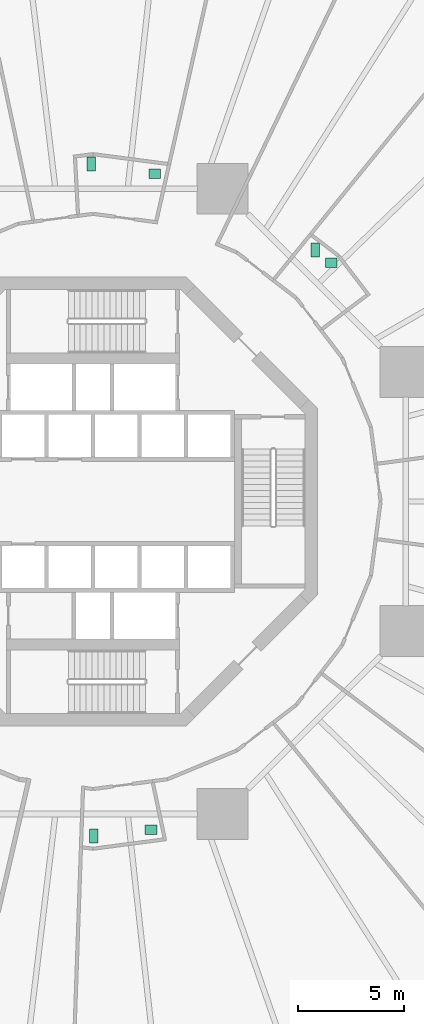
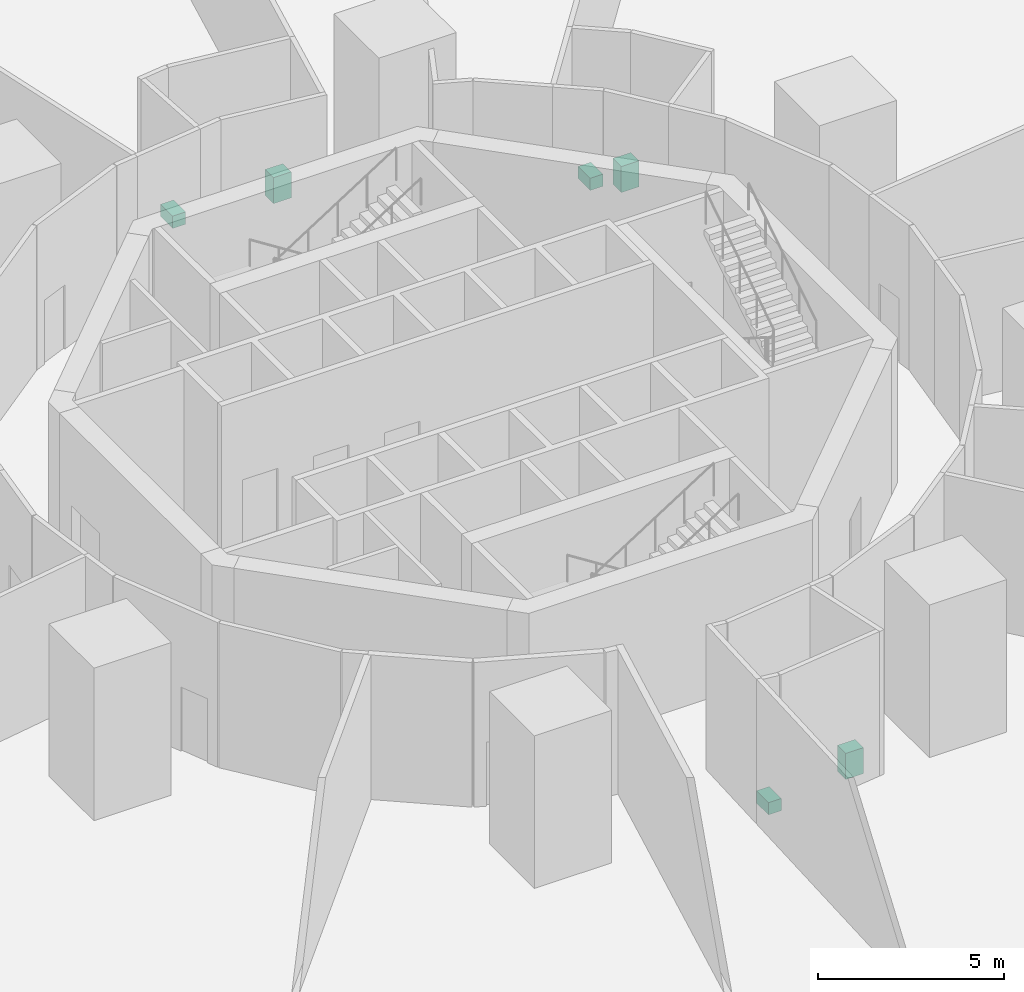
# One storey, part 52 of 52: 6 sanitary terminals.
"""IFC4 building model written with IfcOpenShell, lengths in metres."""

from ifc_helpers import new_model, si_unit, direction, frame, origin, origin_2d, place, context, subcontext, project, spatial, rectangle, extrude, material, type_object, element, save


model = new_model("IFC4")

# Units and contexts
model_context = context("Model", 3, precision=1e-05, world=origin(), true_north=direction((0.0, 1.0)))
body_context = subcontext(model_context, "Body", "Model", "MODEL_VIEW")
ifc_project = project(units=[si_unit("LENGTHUNIT", "METRE"), si_unit("AREAUNIT", "SQUARE_METRE"), si_unit("VOLUMEUNIT", "CUBIC_METRE"), si_unit("PLANEANGLEUNIT", "RADIAN"), si_unit("MASSUNIT", "GRAM", prefix="KILO")], contexts=[model_context])

# Site, building, storey
site_placement = place(None, origin())
site = spatial("IfcSite", under=ifc_project, at=site_placement, CompositionType="ELEMENT")
building_placement = place(site_placement, origin())
building = spatial("IfcBuilding", under=site, at=building_placement, Name="Nagisa Residences", CompositionType="ELEMENT")
storey_placement = place(building_placement, frame((0.0, 0.0, 22.0)))
storey = spatial("IfcBuildingStorey", under=building, at=storey_placement, Name="L04", CompositionType="ELEMENT", Elevation=22.0)

# Sanitary terminals
ifc_material_1 = material(Name="Vitreous china")
sanitary_terminal_type_1 = type_object("IfcSanitaryTerminalType", Name="WC pan", PredefinedType="WCSEAT", material=ifc_material_1)
for number, where, z_axis, x_axis, name in (
    (1, (10.510986328125, 11.886962890625, 0.0), (0.0, 0.0, 1.0), (1.0, 0.0, 0.0), "fix:L04:r0t1p0:wc"),
    (2, (-0.083984375, 15.95703125, 0.0), (0.0, 0.0, 1.0), (1.0, 0.0, 0.0), "fix:L04:r3t4p0:wc"),
    (3, (0.04296875, -15.820068359375, 0.0), (0.0, 0.0, 1.0), (1.0, 0.0, 0.0), "fix:L04:r10t12p0:wc"),
):
    element("IfcSanitaryTerminal", number, at=place(storey_placement, frame(where, z_axis=z_axis, x_axis=x_axis)), inside=storey, type_object=sanitary_terminal_type_1, Name=name, PredefinedType="WCSEAT", context=body_context, shape_type="SweptSolid", body=[
        extrude(rectangle(XDim=0.39990234375, YDim=0.64990234375, at=origin_2d()), origin(), (0.0, 0.0, 1.0), 0.39990234375),
    ])
ifc_material_2 = material(Name="Vitreous china")
sanitary_terminal_type_2 = type_object("IfcSanitaryTerminalType", Name="Wash basin", PredefinedType="WASHHANDBASIN", material=ifc_material_2)
for number, where, z_axis, x_axis, name in (
    (4, (11.260986328125, 11.287109375, 0.0), (0.0, 0.0, 1.0), (1.0, 0.0, 0.0), "fix:L04:r0t1p0:basin"),
    (5, (2.916015625, 15.507080078125, 0.0), (0.0, 0.0, 1.0), (1.0, 0.0, 0.0), "fix:L04:r3t4p0:basin"),
    (6, (2.742919921875, -15.52001953125, 0.0), (0.0, 0.0, 1.0), (1.0, 0.0, 0.0), "fix:L04:r10t12p0:basin"),
):
    element("IfcSanitaryTerminal", number, at=place(storey_placement, frame(where, z_axis=z_axis, x_axis=x_axis)), inside=storey, type_object=sanitary_terminal_type_2, Name=name, PredefinedType="WASHHANDBASIN", context=body_context, shape_type="SweptSolid", body=[
        extrude(rectangle(XDim=0.550048828125, YDim=0.449951171875, at=origin_2d()), origin(), (0.0, 0.0, 1.0), 0.85009765625),
    ])

save(model, "model.ifc")
